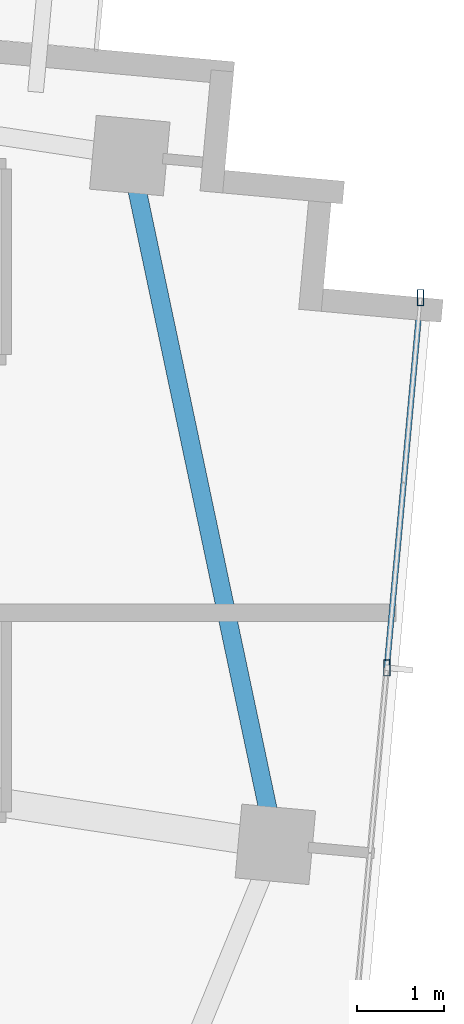
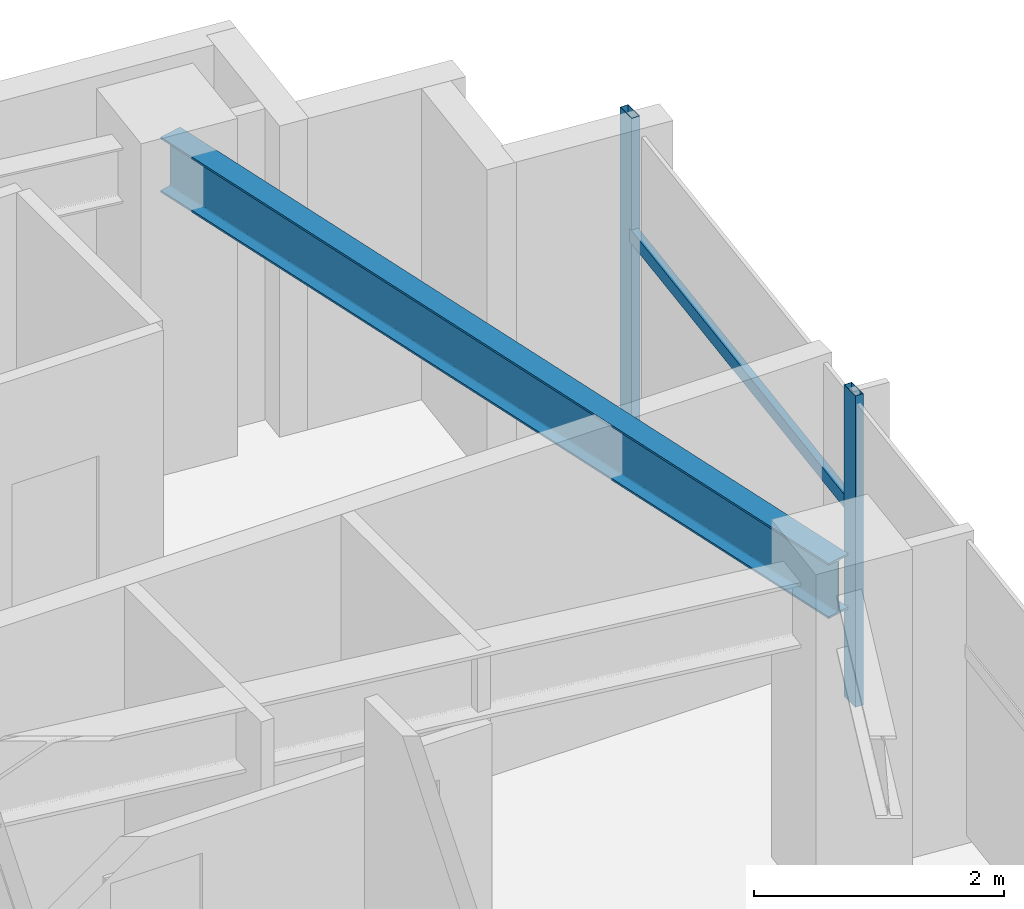
# One storey, part 14 of 22: 3 members, 1 beam, 1 element without a shape of its own.
"""IFC4 building model written with IfcOpenShell, lengths in metres."""

from ifc_helpers import new_model, si_unit, direction, frame, origin, origin_2d, place, context, subcontext, project, spatial, hollow_rectangle, i_section, extrude, source, transform, mapped, material, material_profile, profile_set, type_object, type_shapes, element, aggregate, save


model = new_model("IFC4")

# Units and contexts
model_context = context("Model", 3, precision=1e-05, world=origin(), true_north=direction((0.0, 1.0)))
body_context = subcontext(model_context, "Body", "Model", "MODEL_VIEW")
ifc_project = project(units=[si_unit("LENGTHUNIT", "METRE"), si_unit("AREAUNIT", "SQUARE_METRE"), si_unit("VOLUMEUNIT", "CUBIC_METRE"), si_unit("PLANEANGLEUNIT", "RADIAN"), si_unit("MASSUNIT", "GRAM", prefix="KILO")], contexts=[model_context])

# Site, building, storey
site_placement = place(None, origin())
site = spatial("IfcSite", under=ifc_project, at=site_placement, CompositionType="ELEMENT")
building_placement = place(site_placement, origin())
building = spatial("IfcBuilding", under=site, at=building_placement, Name="Astriad Promenade Condominiums", CompositionType="ELEMENT")
storey_placement = place(building_placement, frame((0.0, 0.0, 246.300048828125)))
storey = spatial("IfcBuildingStorey", under=building, at=storey_placement, Name="L71", CompositionType="ELEMENT", Elevation=246.300048828125)

# Beam
ifc_material_1 = material(Name="Steel ASTM A992 Grade 50", Category="steel")
ifc_material_profile_1 = material_profile(ifc_material_1, i_section(OverallWidth=0.210693359375, OverallDepth=0.53955078125, WebThickness=0.01171875, FlangeThickness=0.018798828125, FilletRadius=0.0166015625, at=origin_2d()), Name="W21X73")
ifc_profile_set_1 = profile_set([ifc_material_profile_1], Name="Steel ASTM A992 Grade 50")
beam_type = type_object("IfcBeamType", Name="STEEL SPANDREL BEAM W21X73", PredefinedType="SPANDREL", material=ifc_profile_set_1)
shared_shape_1 = source(origin(), body_context, "Body", "SweptSolid", [
    extrude(i_section(OverallWidth=0.210693359375, OverallDepth=0.53955078125, WebThickness=0.01171875, FlangeThickness=0.018798828125, FilletRadius=0.0166015625, at=origin_2d()), origin(), (0.0, 0.0, 1.0), 7.99853515625),
])
type_shapes(beam_type, [shared_shape_1])
beam_placement = place(storey_placement, frame((54.88037109375, 16.02880859375, 2.770263671875), z_axis=(-0.20676418926, 0.978390806396, 0.0), x_axis=(-0.978390806396, -0.20676418926, 0.0)))
element("IfcBeam", 1, at=beam_placement, inside=storey, type_object=beam_type, Name="Perimeter Spandrel Beam SP-E2-L71", PredefinedType="SPANDREL", context=body_context, shape_type="MappedRepresentation", body=[
    mapped(shared_shape_1, transform((0.0, 0.0, 0.0), scale=1.0)),
])

# Curtain wall, members
ifc_material_2 = material(Name="Anodised aluminium Black Dark Glass Unitised", Category="aluminium")
curtain_wall_type = type_object("IfcCurtainWallType", Name="CW-B5-DARK", PredefinedType="USERDEFINED", material=ifc_material_2)
curtain_wall_placement = place(storey_placement, origin())
curtain_wall = element("IfcCurtainWall", 2, at=curtain_wall_placement, inside=storey, type_object=curtain_wall_type, Name="CW-L71-E", ObjectType="UNITISED_CURTAIN_WALL", PredefinedType="USERDEFINED")
ifc_material_3 = material(Name="Anodised aluminium 6063-T6 Black", Category="aluminium")
ifc_material_profile_2 = material_profile(ifc_material_3, hollow_rectangle(XDim=0.06494140625, YDim=0.1298828125, WallThickness=0.00390625, at=origin_2d()), Name="ALU-TRN-65X130")
ifc_profile_set_2 = profile_set([ifc_material_profile_2], Name="Anodised aluminium 6063-T6 Black")
member_type_1 = type_object("IfcMemberType", Name="TRN-ALU-TRN-65X130", PredefinedType="USERDEFINED", material=ifc_profile_set_2)
shared_shape_2 = source(origin(), body_context, "Body", "SweptSolid", [
    extrude(hollow_rectangle(XDim=0.06494140625, YDim=0.1298828125, WallThickness=0.00390625, at=origin_2d()), origin(), (0.0, 0.0, 1.0), 4.2666015625),
])
type_shapes(member_type_1, [shared_shape_2])
member_1_placement = place(storey_placement, frame((56.55419921875, 22.2646484375, 1.884765625), z_axis=(-0.090638931954, -0.99588382054, 0.0), x_axis=(0.99588382054, -0.090638931954, 0.0)))
member_1 = element("IfcMember", 3, at=member_1_placement, type_object=member_type_1, Name="CW-L71-E-TRN-00-0", ObjectType="TRANSOM", PredefinedType="USERDEFINED", context=body_context, shape_type="MappedRepresentation", body=[
    mapped(shared_shape_2, transform((0.0, 0.0, 0.0), scale=1.0)),
])
ifc_material_profile_3 = material_profile(ifc_material_3, hollow_rectangle(XDim=0.074951171875, YDim=0.18505859375, WallThickness=0.00439453125, at=origin_2d()), Name="ALU-MUL-75X185")
ifc_profile_set_3 = profile_set([ifc_material_profile_3], Name="Anodised aluminium 6063-T6 Black")
member_type_2 = type_object("IfcMemberType", Name="MUL-ALU-MUL-75X185", PredefinedType="MULLION", material=ifc_profile_set_3)
shared_shape_3 = source(origin(), body_context, "Body", "SweptSolid", [
    extrude(hollow_rectangle(XDim=0.074951171875, YDim=0.18505859375, WallThickness=0.00439453125, at=origin_2d()), origin(), (0.0, 0.0, 1.0), 3.0400390625),
])
type_shapes(member_type_2, [shared_shape_3])
member_2_placement = place(storey_placement, frame((56.55419921875, 22.2646484375, 0.0), z_axis=(0.0, 0.0, 1.0), x_axis=(1.0, 0.0, 0.0)))
member_2 = element("IfcMember", 4, at=member_2_placement, type_object=member_type_2, Name="CW-L71-E-MUL-00", PredefinedType="MULLION", context=body_context, shape_type="MappedRepresentation", body=[
    mapped(shared_shape_3, transform((0.0, 0.0, 0.0), scale=1.0)),
])
member_3_placement = place(storey_placement, frame((56.16748046875, 18.015625, 0.0), z_axis=(0.0, 0.0, 1.0), x_axis=(1.0, 0.0, 0.0)))
member_3 = element("IfcMember", 5, at=member_3_placement, type_object=member_type_2, Name="CW-L71-E-MUL-01", PredefinedType="MULLION", context=body_context, shape_type="MappedRepresentation", body=[
    mapped(shared_shape_3, transform((0.0, 0.0, 0.0), scale=1.0)),
])
aggregate(curtain_wall, [member_2, member_3, member_1])

save(model, "model.ifc")
